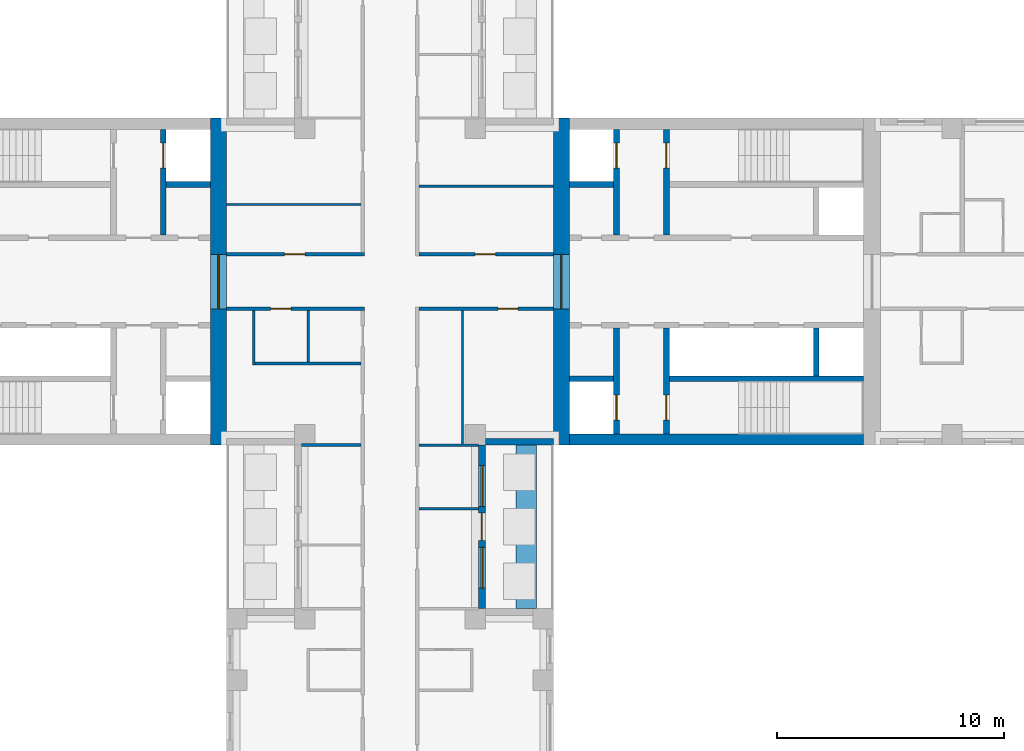
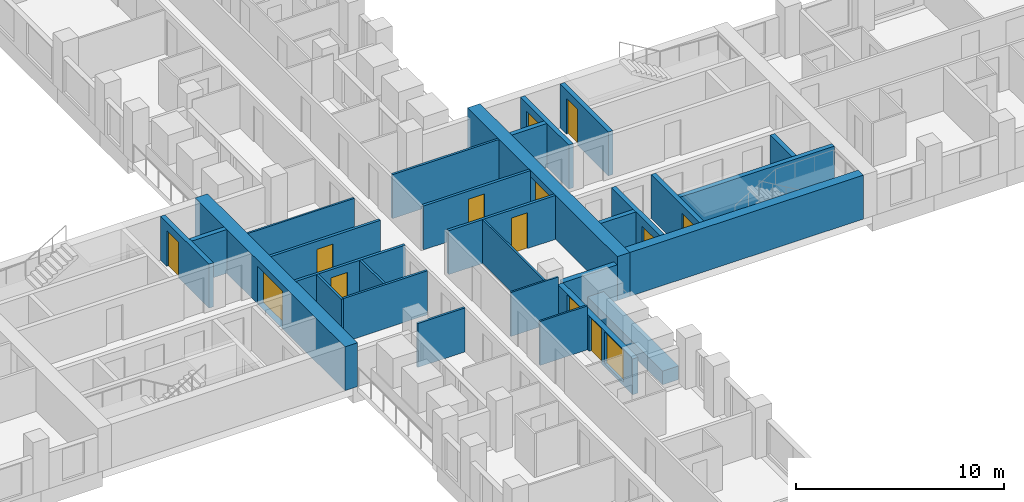
# One storey, part 7 of 15: 29 walls, 12 doors, 2 windows, 14 openings.
"""IFC4 building model written with IfcOpenShell, lengths in metres."""

from ifc_helpers import new_model, si_unit, direction, frame, frame_2d, origin, place, context, subcontext, project, spatial, rectangle, extrude, material, layer, layer_set, type_object, element, fill, save


model = new_model("IFC4")

# Units and contexts
model_context = context("Model", 3, precision=1e-05, world=origin(), true_north=direction((0.0, 1.0)))
body_context = subcontext(model_context, "Body", "Model", "MODEL_VIEW")
ifc_project = project(units=[si_unit("LENGTHUNIT", "METRE"), si_unit("AREAUNIT", "SQUARE_METRE"), si_unit("VOLUMEUNIT", "CUBIC_METRE"), si_unit("PLANEANGLEUNIT", "RADIAN"), si_unit("MASSUNIT", "GRAM", prefix="KILO")], contexts=[model_context])

# Site, building, storey
site_placement = place(None, origin())
site = spatial("IfcSite", under=ifc_project, at=site_placement, CompositionType="ELEMENT")
building_placement = place(site_placement, origin())
building = spatial("IfcBuilding", under=site, at=building_placement, Name="Fustian Cross Tower", CompositionType="ELEMENT")
storey_placement = place(building_placement, frame((0.0, 0.0, 41.699951171875)))
storey = spatial("IfcBuildingStorey", under=building, at=storey_placement, Name="L12", CompositionType="ELEMENT", Elevation=41.699951171875)

# Wall, opening, door
ifc_material_1 = material(Name="Plasterboard on steel stud", Category="steel")
ifc_layer_1 = layer(ifc_material_1, 0.14990234375)
ifc_layer_set_1 = layer_set([ifc_layer_1], Name="Plasterboard on steel stud")
wall_type_1 = type_object("IfcWallType", Name="COMPARTMENT WALL 150 EI 60", PredefinedType="PARTITIONING", material=ifc_layer_set_1)
wall_1_placement = place(storey_placement, frame((-7.199951171875, -1.199951171875, 0.0), z_axis=(0.0, 0.0, 1.0), x_axis=(1.0, 0.0, 0.0)))
wall_1 = element("IfcWall", 1, at=wall_1_placement, inside=storey, type_object=wall_type_1, Name="Partition 11", PredefinedType="PARTITIONING", context=body_context, shape_type="SweptSolid", body=[
    extrude(rectangle(XDim=6.074951171875, YDim=0.14990234375, at=frame_2d((3.03759765625, 0.0))), origin(), (0.0, 0.0, 1.0), 2.574951171875),
])
opening_1_placement = place(wall_1_placement, frame((1.949951171875, 0.0, 0.0)))
opening_1 = element("IfcOpeningElement", 2, at=opening_1_placement, cuts=wall_1, Name="Opening D07008", PredefinedType="OPENING", context=body_context, shape_type="SweptSolid", body=[
    extrude(rectangle(XDim=0.89990234375, YDim=2.10009765625, at=frame_2d((0.449951171875, 1.050048828125))), frame((0.0, 0.0849609375, 0.0), z_axis=(0.0, -1.0, 0.0), x_axis=(1.0, 0.0, 0.0)), (0.0, 0.0, 1.0), 0.169921875),
])
ifc_material_2 = material(Name="Timber fire door set", Category="wood")
door_type_1 = type_object("IfcDoorType", Name="FIRE SWING DOOR 900 FD30S", OperationType="SINGLE_SWING_LEFT", PredefinedType="DOOR", material=ifc_material_2)
door_1_placement = place(opening_1_placement, frame((0.89990234375, 0.0, 0.0), z_axis=(0.0, 0.0, 1.0), x_axis=(-1.0, 0.0, 0.0)))
door_1 = element("IfcDoor", 3, at=door_1_placement, inside=storey, type_object=door_type_1, Name="Door D07008", OperationType="SINGLE_SWING_RIGHT", OverallHeight=2.10009765625, OverallWidth=0.89990234375, PredefinedType="DOOR", context=body_context, shape_type="SweptSolid", body=[
    extrude(rectangle(XDim=0.89990234375, YDim=2.10009765625, at=frame_2d((0.449951171875, 1.050048828125))), frame((0.0, 0.02490234375, 0.0), z_axis=(0.0, -1.0, 0.0), x_axis=(1.0, 0.0, 0.0)), (0.0, 0.0, 1.0), 0.050048828125),
])
fill(opening_1, door_1)

wall_2_placement = place(storey_placement, frame((-7.199951171875, 1.199951171875, 0.0), z_axis=(0.0, 0.0, 1.0), x_axis=(1.0, 0.0, 0.0)))
wall_2 = element("IfcWall", 4, at=wall_2_placement, inside=storey, type_object=wall_type_1, Name="Partition 12", PredefinedType="PARTITIONING", context=body_context, shape_type="SweptSolid", body=[
    extrude(rectangle(XDim=6.074951171875, YDim=0.14990234375, at=frame_2d((3.03759765625, 0.0))), origin(), (0.0, 0.0, 1.0), 2.574951171875),
])
opening_2_placement = place(wall_2_placement, frame((2.550048828125, 0.0, 0.0)))
opening_2 = element("IfcOpeningElement", 5, at=opening_2_placement, cuts=wall_2, Name="Opening D07003", PredefinedType="OPENING", context=body_context, shape_type="SweptSolid", body=[
    extrude(rectangle(XDim=0.89990234375, YDim=2.10009765625, at=frame_2d((0.449951171875, 1.050048828125))), frame((0.0, 0.0849609375, 0.0), z_axis=(0.0, -1.0, 0.0), x_axis=(1.0, 0.0, 0.0)), (0.0, 0.0, 1.0), 0.169921875),
])
door_2_placement = place(opening_2_placement, origin())
door_2 = element("IfcDoor", 6, at=door_2_placement, inside=storey, type_object=door_type_1, Name="Door D07003", OperationType="SINGLE_SWING_LEFT", OverallHeight=2.10009765625, OverallWidth=0.89990234375, PredefinedType="DOOR", context=body_context, shape_type="SweptSolid", body=[
    extrude(rectangle(XDim=0.89990234375, YDim=2.10009765625, at=frame_2d((0.449951171875, 1.050048828125))), frame((0.0, 0.02490234375, 0.0), z_axis=(0.0, -1.0, 0.0), x_axis=(1.0, 0.0, 0.0)), (0.0, 0.0, 1.0), 0.050048828125),
])
fill(opening_2, door_2)

wall_3_placement = place(storey_placement, frame((1.27490234375, -1.199951171875, 0.0), z_axis=(0.0, 0.0, 1.0), x_axis=(1.0, 0.0, 0.0)))
wall_3 = element("IfcWall", 7, at=wall_3_placement, inside=storey, type_object=wall_type_1, Name="Partition 51", PredefinedType="PARTITIONING", context=body_context, shape_type="SweptSolid", body=[
    extrude(rectangle(XDim=5.925048828125, YDim=0.14990234375, at=frame_2d((2.96240234375, 0.0))), origin(), (0.0, 0.0, 1.0), 2.574951171875),
])
opening_3_placement = place(wall_3_placement, frame((3.47509765625, 0.0, 0.0)))
opening_3 = element("IfcOpeningElement", 8, at=opening_3_placement, cuts=wall_3, Name="Opening D07006", PredefinedType="OPENING", context=body_context, shape_type="SweptSolid", body=[
    extrude(rectangle(XDim=0.89990234375, YDim=2.10009765625, at=frame_2d((0.449951171875, 1.050048828125))), frame((0.0, 0.0849609375, 0.0), z_axis=(0.0, -1.0, 0.0), x_axis=(1.0, 0.0, 0.0)), (0.0, 0.0, 1.0), 0.169921875),
])
door_3_placement = place(opening_3_placement, frame((0.89990234375, 0.0, 0.0), z_axis=(0.0, 0.0, 1.0), x_axis=(-1.0, 0.0, 0.0)))
door_3 = element("IfcDoor", 9, at=door_3_placement, inside=storey, type_object=door_type_1, Name="Door D07006", OperationType="SINGLE_SWING_RIGHT", OverallHeight=2.10009765625, OverallWidth=0.89990234375, PredefinedType="DOOR", context=body_context, shape_type="SweptSolid", body=[
    extrude(rectangle(XDim=0.89990234375, YDim=2.10009765625, at=frame_2d((0.449951171875, 1.050048828125))), frame((0.0, 0.02490234375, 0.0), z_axis=(0.0, -1.0, 0.0), x_axis=(1.0, 0.0, 0.0)), (0.0, 0.0, 1.0), 0.050048828125),
])
fill(opening_3, door_3)

wall_4_placement = place(storey_placement, frame((1.27490234375, 1.199951171875, 0.0), z_axis=(0.0, 0.0, 1.0), x_axis=(1.0, 0.0, 0.0)))
wall_4 = element("IfcWall", 10, at=wall_4_placement, inside=storey, type_object=wall_type_1, Name="Partition 53", PredefinedType="PARTITIONING", context=body_context, shape_type="SweptSolid", body=[
    extrude(rectangle(XDim=5.925048828125, YDim=0.14990234375, at=frame_2d((2.96240234375, 0.0))), origin(), (0.0, 0.0, 1.0), 2.574951171875),
])
opening_4_placement = place(wall_4_placement, frame((2.47509765625, 0.0, 0.0)))
opening_4 = element("IfcOpeningElement", 11, at=opening_4_placement, cuts=wall_4, Name="Opening D07001", PredefinedType="OPENING", context=body_context, shape_type="SweptSolid", body=[
    extrude(rectangle(XDim=0.89990234375, YDim=2.10009765625, at=frame_2d((0.449951171875, 1.050048828125))), frame((0.0, 0.0849609375, 0.0), z_axis=(0.0, -1.0, 0.0), x_axis=(1.0, 0.0, 0.0)), (0.0, 0.0, 1.0), 0.169921875),
])
door_4_placement = place(opening_4_placement, origin())
door_4 = element("IfcDoor", 12, at=door_4_placement, inside=storey, type_object=door_type_1, Name="Door D07001", OperationType="SINGLE_SWING_LEFT", OverallHeight=2.10009765625, OverallWidth=0.89990234375, PredefinedType="DOOR", context=body_context, shape_type="SweptSolid", body=[
    extrude(rectangle(XDim=0.89990234375, YDim=2.10009765625, at=frame_2d((0.449951171875, 1.050048828125))), frame((0.0, 0.02490234375, 0.0), z_axis=(0.0, -1.0, 0.0), x_axis=(1.0, 0.0, 0.0)), (0.0, 0.0, 1.0), 0.050048828125),
])
fill(opening_4, door_4)

ifc_material_3 = material(Name="Concrete C80/95", Category="concrete")
ifc_layer_2 = layer(ifc_material_3, 0.699951171875)
ifc_layer_set_2 = layer_set([ifc_layer_2], Name="Concrete C80/95")
wall_type_2 = type_object("IfcWallType", Name="CORE END WALL 700 C80/95", PredefinedType="SHEAR", material=ifc_layer_set_2)
wall_5_placement = place(storey_placement, frame((7.550048828125, -7.199951171875, 0.0), z_axis=(0.0, 0.0, 1.0), x_axis=(0.0, 1.0, 0.0)))
wall_5 = element("IfcWall", 13, at=wall_5_placement, inside=storey, type_object=wall_type_2, Name="Core end wall", PredefinedType="SHEAR", context=body_context, shape_type="SweptSolid", body=[
    extrude(rectangle(XDim=14.39990234375, YDim=0.699951171875, at=frame_2d((7.199951171875, 0.0))), origin(), (0.0, 0.0, 1.0), 2.574951171875),
])
opening_5_placement = place(wall_5_placement, frame((6.0, 0.0, 0.0)))
opening_5 = element("IfcOpeningElement", 14, at=opening_5_placement, cuts=wall_5, Name="Opening CD-04-12", PredefinedType="OPENING", context=body_context, shape_type="SweptSolid", body=[
    extrude(rectangle(XDim=2.39990234375, YDim=2.199951171875, at=frame_2d((1.199951171875, 1.10009765625))), frame((0.0, 0.35986328125, 0.0), z_axis=(0.0, -1.0, 0.0), x_axis=(1.0, 0.0, 0.0)), (0.0, 0.0, 1.0), 0.719970703125),
])
ifc_material_4 = material(Name="Steel", Category="steel")
door_type_2 = type_object("IfcDoorType", Name="FIRE DOOR FD30S DOUBLE 2400X2200", OperationType="DOUBLE_DOOR_DOUBLE_SWING", PredefinedType="DOOR", material=ifc_material_4)
door_5_placement = place(opening_5_placement, frame((2.39990234375, 0.0, 0.0), z_axis=(0.0, 0.0, 1.0), x_axis=(-1.0, 0.0, 0.0)))
door_5 = element("IfcDoor", 15, at=door_5_placement, inside=storey, type_object=door_type_2, Name="Core door CD-04-12", OperationType="DOUBLE_DOOR_DOUBLE_SWING", OverallHeight=2.199951171875, OverallWidth=2.39990234375, PredefinedType="DOOR", context=body_context, shape_type="SweptSolid", body=[
    extrude(rectangle(XDim=2.39990234375, YDim=2.199951171875, at=frame_2d((1.199951171875, 1.10009765625))), frame((0.0, 0.02490234375, 0.0), z_axis=(0.0, -1.0, 0.0), x_axis=(1.0, 0.0, 0.0)), (0.0, 0.0, 1.0), 0.050048828125),
])
fill(opening_5, door_5)

wall_6_placement = place(storey_placement, frame((-7.550048828125, -7.199951171875, 0.0), z_axis=(0.0, 0.0, 1.0), x_axis=(0.0, 1.0, 0.0)))
wall_6 = element("IfcWall", 16, at=wall_6_placement, inside=storey, type_object=wall_type_2, Name="Core end wall", PredefinedType="SHEAR", context=body_context, shape_type="SweptSolid", body=[
    extrude(rectangle(XDim=14.39990234375, YDim=0.699951171875, at=frame_2d((7.199951171875, 0.0))), origin(), (0.0, 0.0, 1.0), 2.574951171875),
])
opening_6_placement = place(wall_6_placement, frame((6.0, 0.0, 0.0)))
opening_6 = element("IfcOpeningElement", 17, at=opening_6_placement, cuts=wall_6, Name="Opening CD-04-26", PredefinedType="OPENING", context=body_context, shape_type="SweptSolid", body=[
    extrude(rectangle(XDim=2.39990234375, YDim=2.199951171875, at=frame_2d((1.199951171875, 1.10009765625))), frame((0.0, 0.35986328125, 0.0), z_axis=(0.0, -1.0, 0.0), x_axis=(1.0, 0.0, 0.0)), (0.0, 0.0, 1.0), 0.719970703125),
])
door_6_placement = place(opening_6_placement, origin())
door_6 = element("IfcDoor", 18, at=door_6_placement, inside=storey, type_object=door_type_2, Name="Core door CD-04-26", OperationType="DOUBLE_DOOR_DOUBLE_SWING", OverallHeight=2.199951171875, OverallWidth=2.39990234375, PredefinedType="DOOR", context=body_context, shape_type="SweptSolid", body=[
    extrude(rectangle(XDim=2.39990234375, YDim=2.199951171875, at=frame_2d((1.199951171875, 1.10009765625))), frame((0.0, 0.02490234375, 0.0), z_axis=(0.0, -1.0, 0.0), x_axis=(1.0, 0.0, 0.0)), (0.0, 0.0, 1.0), 0.050048828125),
])
fill(opening_6, door_6)

# Walls
ifc_material_5 = material(Name="Concrete C80/95", Category="concrete")
ifc_layer_3 = layer(ifc_material_5, 0.5)
ifc_layer_set_3 = layer_set([ifc_layer_3], Name="Concrete C80/95")
wall_type_3 = type_object("IfcWallType", Name="CORE FACADE WALL 500 C80/95", PredefinedType="SHEAR", material=ifc_layer_set_3)
wall_7_placement = place(storey_placement, frame((7.89990234375, -6.949951171875, 0.0), z_axis=(0.0, 0.0, 1.0), x_axis=(1.0, 0.0, 0.0)))
element("IfcWall", 19, at=wall_7_placement, inside=storey, type_object=wall_type_3, Name="Core facade wall", PredefinedType="SHEAR", context=body_context, shape_type="SweptSolid", body=[
    extrude(rectangle(XDim=12.9501953125, YDim=0.5, at=frame_2d((6.47509765625, 0.0))), origin(), (0.0, 0.0, 1.0), 2.574951171875),
])
ifc_material_6 = material(Name="Concrete C50/60", Category="concrete")
ifc_layer_4 = layer(ifc_material_6, 0.25)
ifc_layer_set_4 = layer_set([ifc_layer_4], Name="Concrete C50/60")
wall_type_4 = type_object("IfcWallType", Name="CORE SHAFT WALL 250 C50/60", PredefinedType="SHEAR", material=ifc_layer_set_4)
wall_8_placement = place(storey_placement, frame((7.89990234375, 4.27490234375, 0.0), z_axis=(0.0, 0.0, 1.0), x_axis=(1.0, 0.0, 0.0)))
element("IfcWall", 20, at=wall_8_placement, inside=storey, type_object=wall_type_4, Name="Core shaft wall", PredefinedType="SHEAR", context=body_context, shape_type="SweptSolid", body=[
    extrude(rectangle(XDim=1.9501953125, YDim=0.25, at=frame_2d((0.97509765625, 0.0))), origin(), (0.0, 0.0, 1.0), 2.574951171875),
])

# Wall, opening, door
wall_9_placement = place(storey_placement, frame((9.97509765625, 2.050048828125, 0.0), z_axis=(0.0, 0.0, 1.0), x_axis=(0.0, 1.0, 0.0)))
wall_9 = element("IfcWall", 21, at=wall_9_placement, inside=storey, type_object=wall_type_4, Name="Core shaft wall", PredefinedType="SHEAR", context=body_context, shape_type="SweptSolid", body=[
    extrude(rectangle(XDim=4.64990234375, YDim=0.25, at=frame_2d((2.324951171875, 0.0))), origin(), (0.0, 0.0, 1.0), 2.574951171875),
])
opening_7_placement = place(wall_9_placement, frame((2.949951171875, 0.0, 0.0)))
opening_7 = element("IfcOpeningElement", 22, at=opening_7_placement, cuts=wall_9, Name="Opening LD", PredefinedType="OPENING", context=body_context, shape_type="SweptSolid", body=[
    extrude(rectangle(XDim=1.10009765625, YDim=2.10009765625, at=frame_2d((0.550048828125, 1.050048828125))), frame((0.0, 0.135009765625, 0.0), z_axis=(0.0, -1.0, 0.0), x_axis=(1.0, 0.0, 0.0)), (0.0, 0.0, 1.0), 0.27001953125),
])
ifc_material_7 = material(Name="Stainless steel", Category="steel")
door_type_3 = type_object("IfcDoorType", Name="LIFT LANDING DOOR 1100X2100", OperationType="SLIDING_TO_LEFT", PredefinedType="DOOR", material=ifc_material_7)
door_7_placement = place(opening_7_placement, origin())
door_7 = element("IfcDoor", 23, at=door_7_placement, inside=storey, type_object=door_type_3, Name="Landing door FL1", OperationType="SLIDING_TO_LEFT", OverallHeight=2.10009765625, OverallWidth=1.10009765625, PredefinedType="DOOR", context=body_context, shape_type="SweptSolid", body=[
    extrude(rectangle(XDim=1.10009765625, YDim=2.10009765625, at=frame_2d((0.550048828125, 1.050048828125))), frame((0.0, 0.02490234375, 0.0), z_axis=(0.0, -1.0, 0.0), x_axis=(1.0, 0.0, 0.0)), (0.0, 0.0, 1.0), 0.050048828125),
])
fill(opening_7, door_7)

wall_10_placement = place(storey_placement, frame((12.175048828125, 2.050048828125, 0.0), z_axis=(0.0, 0.0, 1.0), x_axis=(0.0, 1.0, 0.0)))
wall_10 = element("IfcWall", 24, at=wall_10_placement, inside=storey, type_object=wall_type_4, Name="Core shaft wall", PredefinedType="SHEAR", context=body_context, shape_type="SweptSolid", body=[
    extrude(rectangle(XDim=4.64990234375, YDim=0.25, at=frame_2d((2.324951171875, 0.0))), origin(), (0.0, 0.0, 1.0), 2.574951171875),
])
opening_8_placement = place(wall_10_placement, frame((2.949951171875, 0.0, 0.0)))
opening_8 = element("IfcOpeningElement", 25, at=opening_8_placement, cuts=wall_10, Name="Opening CD-04-06", PredefinedType="OPENING", context=body_context, shape_type="SweptSolid", body=[
    extrude(rectangle(XDim=1.10009765625, YDim=2.10009765625, at=frame_2d((0.550048828125, 1.050048828125))), frame((0.0, 0.135009765625, 0.0), z_axis=(0.0, -1.0, 0.0), x_axis=(1.0, 0.0, 0.0)), (0.0, 0.0, 1.0), 0.27001953125),
])
ifc_material_8 = material(Name="Steel", Category="steel")
door_type_4 = type_object("IfcDoorType", Name="FIRE DOOR FD60S 1100X2100", OperationType="SINGLE_SWING_LEFT", PredefinedType="DOOR", material=ifc_material_8)
door_8_placement = place(opening_8_placement, frame((1.10009765625, 0.0, 0.0), z_axis=(0.0, 0.0, 1.0), x_axis=(-1.0, 0.0, 0.0)))
door_8 = element("IfcDoor", 26, at=door_8_placement, inside=storey, type_object=door_type_4, Name="Core door CD-04-06", OperationType="SINGLE_SWING_RIGHT", OverallHeight=2.10009765625, OverallWidth=1.10009765625, PredefinedType="DOOR", context=body_context, shape_type="SweptSolid", body=[
    extrude(rectangle(XDim=1.10009765625, YDim=2.10009765625, at=frame_2d((0.550048828125, 1.050048828125))), frame((0.0, 0.02490234375, 0.0), z_axis=(0.0, -1.0, 0.0), x_axis=(1.0, 0.0, 0.0)), (0.0, 0.0, 1.0), 0.050048828125),
])
fill(opening_8, door_8)

# Walls
wall_11_placement = place(storey_placement, frame((7.89990234375, -4.27490234375, 0.0), z_axis=(0.0, 0.0, 1.0), x_axis=(1.0, 0.0, 0.0)))
element("IfcWall", 27, at=wall_11_placement, inside=storey, type_object=wall_type_4, Name="Core shaft wall", PredefinedType="SHEAR", context=body_context, shape_type="SweptSolid", body=[
    extrude(rectangle(XDim=1.9501953125, YDim=0.25, at=frame_2d((0.97509765625, 0.0))), origin(), (0.0, 0.0, 1.0), 2.574951171875),
])
wall_12_placement = place(storey_placement, frame((12.300048828125, -4.27490234375, 0.0), z_axis=(0.0, 0.0, 1.0), x_axis=(1.0, 0.0, 0.0)))
element("IfcWall", 28, at=wall_12_placement, inside=storey, type_object=wall_type_4, Name="Core shaft wall", PredefinedType="SHEAR", context=body_context, shape_type="SweptSolid", body=[
    extrude(rectangle(XDim=8.550048828125, YDim=0.25, at=frame_2d((4.27490234375, 0.0))), origin(), (0.0, 0.0, 1.0), 2.574951171875),
])

# Wall, opening, door
wall_13_placement = place(storey_placement, frame((9.97509765625, -2.050048828125, 0.0), z_axis=(0.0, 0.0, 1.0), x_axis=(0.0, -1.0, 0.0)))
wall_13 = element("IfcWall", 29, at=wall_13_placement, inside=storey, type_object=wall_type_4, Name="Core shaft wall", PredefinedType="SHEAR", context=body_context, shape_type="SweptSolid", body=[
    extrude(rectangle(XDim=4.64990234375, YDim=0.25, at=frame_2d((2.324951171875, 0.0))), origin(), (0.0, 0.0, 1.0), 2.574951171875),
])
opening_9_placement = place(wall_13_placement, frame((2.949951171875, 0.0, 0.0)))
opening_9 = element("IfcOpeningElement", 30, at=opening_9_placement, cuts=wall_13, Name="Opening LD", PredefinedType="OPENING", context=body_context, shape_type="SweptSolid", body=[
    extrude(rectangle(XDim=1.10009765625, YDim=2.10009765625, at=frame_2d((0.550048828125, 1.050048828125))), frame((0.0, 0.135009765625, 0.0), z_axis=(0.0, -1.0, 0.0), x_axis=(1.0, 0.0, 0.0)), (0.0, 0.0, 1.0), 0.27001953125),
])
door_9_placement = place(opening_9_placement, origin())
door_9 = element("IfcDoor", 31, at=door_9_placement, inside=storey, type_object=door_type_3, Name="Landing door SV1", OperationType="SLIDING_TO_LEFT", OverallHeight=2.10009765625, OverallWidth=1.10009765625, PredefinedType="DOOR", context=body_context, shape_type="SweptSolid", body=[
    extrude(rectangle(XDim=1.10009765625, YDim=2.10009765625, at=frame_2d((0.550048828125, 1.050048828125))), frame((0.0, 0.02490234375, 0.0), z_axis=(0.0, -1.0, 0.0), x_axis=(1.0, 0.0, 0.0)), (0.0, 0.0, 1.0), 0.050048828125),
])
fill(opening_9, door_9)

wall_14_placement = place(storey_placement, frame((12.175048828125, -2.050048828125, 0.0), z_axis=(0.0, 0.0, 1.0), x_axis=(0.0, -1.0, 0.0)))
wall_14 = element("IfcWall", 32, at=wall_14_placement, inside=storey, type_object=wall_type_4, Name="Core shaft wall", PredefinedType="SHEAR", context=body_context, shape_type="SweptSolid", body=[
    extrude(rectangle(XDim=4.64990234375, YDim=0.25, at=frame_2d((2.324951171875, 0.0))), origin(), (0.0, 0.0, 1.0), 2.574951171875),
])
opening_10_placement = place(wall_14_placement, frame((2.949951171875, 0.0, 0.0)))
opening_10 = element("IfcOpeningElement", 33, at=opening_10_placement, cuts=wall_14, Name="Opening CD-04-07", PredefinedType="OPENING", context=body_context, shape_type="SweptSolid", body=[
    extrude(rectangle(XDim=1.10009765625, YDim=2.10009765625, at=frame_2d((0.550048828125, 1.050048828125))), frame((0.0, 0.135009765625, 0.0), z_axis=(0.0, -1.0, 0.0), x_axis=(1.0, 0.0, 0.0)), (0.0, 0.0, 1.0), 0.27001953125),
])
door_10_placement = place(opening_10_placement, origin())
door_10 = element("IfcDoor", 34, at=door_10_placement, inside=storey, type_object=door_type_4, Name="Core door CD-04-07", OperationType="SINGLE_SWING_LEFT", OverallHeight=2.10009765625, OverallWidth=1.10009765625, PredefinedType="DOOR", context=body_context, shape_type="SweptSolid", body=[
    extrude(rectangle(XDim=1.10009765625, YDim=2.10009765625, at=frame_2d((0.550048828125, 1.050048828125))), frame((0.0, 0.02490234375, 0.0), z_axis=(0.0, -1.0, 0.0), x_axis=(1.0, 0.0, 0.0)), (0.0, 0.0, 1.0), 0.050048828125),
])
fill(opening_10, door_10)

# Wall
wall_15_placement = place(storey_placement, frame((-7.89990234375, 4.27490234375, 0.0), z_axis=(0.0, 0.0, 1.0), x_axis=(-1.0, 0.0, 0.0)))
element("IfcWall", 35, at=wall_15_placement, inside=storey, type_object=wall_type_4, Name="Core shaft wall", PredefinedType="SHEAR", context=body_context, shape_type="SweptSolid", body=[
    extrude(rectangle(XDim=1.9501953125, YDim=0.25, at=frame_2d((0.97509765625, 0.0))), origin(), (0.0, 0.0, 1.0), 2.574951171875),
])

# Wall, opening, door
wall_16_placement = place(storey_placement, frame((-9.97509765625, 2.050048828125, 0.0), z_axis=(0.0, 0.0, 1.0), x_axis=(0.0, 1.0, 0.0)))
wall_16 = element("IfcWall", 36, at=wall_16_placement, inside=storey, type_object=wall_type_4, Name="Core shaft wall", PredefinedType="SHEAR", context=body_context, shape_type="SweptSolid", body=[
    extrude(rectangle(XDim=4.64990234375, YDim=0.25, at=frame_2d((2.324951171875, 0.0))), origin(), (0.0, 0.0, 1.0), 2.574951171875),
])
opening_11_placement = place(wall_16_placement, frame((2.949951171875, 0.0, 0.0)))
opening_11 = element("IfcOpeningElement", 37, at=opening_11_placement, cuts=wall_16, Name="Opening LD", PredefinedType="OPENING", context=body_context, shape_type="SweptSolid", body=[
    extrude(rectangle(XDim=1.10009765625, YDim=2.10009765625, at=frame_2d((0.550048828125, 1.050048828125))), frame((0.0, 0.135009765625, 0.0), z_axis=(0.0, -1.0, 0.0), x_axis=(1.0, 0.0, 0.0)), (0.0, 0.0, 1.0), 0.27001953125),
])
door_11_placement = place(opening_11_placement, origin())
door_11 = element("IfcDoor", 38, at=door_11_placement, inside=storey, type_object=door_type_3, Name="Landing door FL1W", OperationType="SLIDING_TO_LEFT", OverallHeight=2.10009765625, OverallWidth=1.10009765625, PredefinedType="DOOR", context=body_context, shape_type="SweptSolid", body=[
    extrude(rectangle(XDim=1.10009765625, YDim=2.10009765625, at=frame_2d((0.550048828125, 1.050048828125))), frame((0.0, 0.02490234375, 0.0), z_axis=(0.0, -1.0, 0.0), x_axis=(1.0, 0.0, 0.0)), (0.0, 0.0, 1.0), 0.050048828125),
])
fill(opening_11, door_11)

# Walls
ifc_material_9 = material(Name="Plasterboard on steel stud", Category="steel")
ifc_layer_5 = layer(ifc_material_9, 0.10009765625)
ifc_layer_set_5 = layer_set([ifc_layer_5], Name="Plasterboard on steel stud")
wall_type_5 = type_object("IfcWallType", Name="PARTITION 100 STUD", PredefinedType="PARTITIONING", material=ifc_layer_set_5)
wall_17_placement = place(storey_placement, frame((-7.199951171875, 3.39990234375, 0.0), z_axis=(0.0, 0.0, 1.0), x_axis=(1.0, 0.0, 0.0)))
element("IfcWall", 39, at=wall_17_placement, inside=storey, type_object=wall_type_5, Name="Partition 13", PredefinedType="PARTITIONING", context=body_context, shape_type="SweptSolid", body=[
    extrude(rectangle(XDim=5.925048828125, YDim=0.10009765625, at=frame_2d((2.96240234375, 0.0))), origin(), (0.0, 0.0, 1.0), 2.574951171875),
])
for number, where, z_axis, x_axis, name in (
    (40, (1.27490234375, -10.0, 0.0), (0.0, 0.0, 1.0), (1.0, 0.0, 0.0), "Partition 49"),
    (41, (1.27490234375, -7.199951171875, 0.0), (0.0, 0.0, 1.0), (1.0, 0.0, 0.0), "Partition 50"),
):
    element("IfcWall", number, at=place(storey_placement, frame(where, z_axis=z_axis, x_axis=x_axis)), inside=storey, type_object=wall_type_5, Name=name, PredefinedType="PARTITIONING", context=body_context, shape_type="SweptSolid", body=[
        extrude(rectangle(XDim=2.625, YDim=0.10009765625, at=frame_2d((1.3125, 0.0))), origin(), (0.0, 0.0, 1.0), 2.574951171875),
    ])
wall_18_placement = place(storey_placement, frame((3.199951171875, -7.14990234375, 0.0), z_axis=(0.0, 0.0, 1.0), x_axis=(0.0, 1.0, 0.0)))
element("IfcWall", 42, at=wall_18_placement, inside=storey, type_object=wall_type_5, Name="Partition 70", PredefinedType="PARTITIONING", context=body_context, shape_type="SweptSolid", body=[
    extrude(rectangle(XDim=5.875, YDim=0.10009765625, at=frame_2d((2.9375, 0.0))), origin(), (0.0, 0.0, 1.0), 2.574951171875),
])
ifc_material_10 = material(Name="Concrete C40/50", Category="concrete")
ifc_layer_6 = layer(ifc_material_10, 0.89990234375)
ifc_layer_set_6 = layer_set([ifc_layer_6], Name="Concrete C40/50")
wall_type_6 = type_object("IfcWallType", Name="PK1 PLANTER 900", PredefinedType="PARAPET", material=ifc_layer_set_6)
wall_19_placement = place(storey_placement, frame((6.0, -14.39990234375, 0.0), z_axis=(0.0, 0.0, 1.0), x_axis=(0.0, 1.0, 0.0)))
element("IfcWall", 43, at=wall_19_placement, inside=storey, type_object=wall_type_6, Name="PLANTER", PredefinedType="PARAPET", context=body_context, shape_type="SweptSolid", body=[
    extrude(rectangle(XDim=7.199951171875, YDim=0.89990234375, at=frame_2d((3.60009765625, 0.0))), origin(), (0.0, 0.0, 1.0), 0.800048828125),
])
ifc_material_11 = material(Name="Concrete C40/50", Category="concrete")
ifc_layer_7 = layer(ifc_material_11, 0.25)
ifc_layer_set_7 = layer_set([ifc_layer_7], Name="Concrete C40/50")
wall_type_7 = type_object("IfcWallType", Name="SHAFT PARTITION WALL 250 C40/50", PredefinedType="PARTITIONING", material=ifc_layer_set_7)
wall_20_placement = place(storey_placement, frame((18.77490234375, -2.050048828125, 0.0), z_axis=(0.0, 0.0, 1.0), x_axis=(0.0, -1.0, 0.0)))
element("IfcWall", 44, at=wall_20_placement, inside=storey, type_object=wall_type_7, Name="Core shaft wall", PredefinedType="PARTITIONING", context=body_context, shape_type="SweptSolid", body=[
    extrude(rectangle(XDim=2.099853515625, YDim=0.25, at=frame_2d((1.0498046875, 0.0))), origin(), (0.0, 0.0, 1.0), 2.574951171875),
])
ifc_material_12 = material(Name="Plasterboard on steel stud", Category="steel")
ifc_layer_8 = layer(ifc_material_12, 0.125)
ifc_layer_set_8 = layer_set([ifc_layer_8], Name="Plasterboard on steel stud")
wall_type_8 = type_object("IfcWallType", Name="WET WALL 125 STUD", PredefinedType="PARTITIONING", material=ifc_layer_set_8)
wall_21_placement = place(storey_placement, frame((-6.0, -3.66259765625, 0.0), z_axis=(0.0, 0.0, 1.0), x_axis=(0.0, 1.0, 0.0)))
element("IfcWall", 45, at=wall_21_placement, inside=storey, type_object=wall_type_8, Name="Partition 22", PredefinedType="PARTITIONING", context=body_context, shape_type="SweptSolid", body=[
    extrude(rectangle(XDim=2.3876953125, YDim=0.125, at=frame_2d((1.19384765625, 0.0))), origin(), (0.0, 0.0, 1.0), 2.574951171875),
])
wall_22_placement = place(storey_placement, frame((-5.9375, -3.60009765625, 0.0), z_axis=(0.0, 0.0, 1.0), x_axis=(1.0, 0.0, 0.0)))
element("IfcWall", 46, at=wall_22_placement, inside=storey, type_object=wall_type_8, Name="Partition 23", PredefinedType="PARTITIONING", context=body_context, shape_type="SweptSolid", body=[
    extrude(rectangle(XDim=4.66259765625, YDim=0.125, at=frame_2d((2.331298828125, 0.0))), origin(), (0.0, 0.0, 1.0), 2.574951171875),
])
wall_23_placement = place(storey_placement, frame((-3.89990234375, -7.199951171875, 0.0), z_axis=(0.0, 0.0, 1.0), x_axis=(1.0, 0.0, 0.0)))
element("IfcWall", 47, at=wall_23_placement, inside=storey, type_object=wall_type_8, Name="Partition 26", PredefinedType="PARTITIONING", context=body_context, shape_type="SweptSolid", body=[
    extrude(rectangle(XDim=2.625, YDim=0.125, at=frame_2d((1.3125, 0.0))), origin(), (0.0, 0.0, 1.0), 2.574951171875),
])
wall_24_placement = place(storey_placement, frame((-3.60009765625, -3.53759765625, 0.0), z_axis=(0.0, 0.0, 1.0), x_axis=(0.0, 1.0, 0.0)))
element("IfcWall", 48, at=wall_24_placement, inside=storey, type_object=wall_type_8, Name="Partition 32", PredefinedType="PARTITIONING", context=body_context, shape_type="SweptSolid", body=[
    extrude(rectangle(XDim=2.2626953125, YDim=0.125, at=frame_2d((1.13134765625, 0.0))), origin(), (0.0, 0.0, 1.0), 2.574951171875),
])
wall_25_placement = place(storey_placement, frame((1.27490234375, 4.199951171875, 0.0), z_axis=(0.0, 0.0, 1.0), x_axis=(1.0, 0.0, 0.0)))
element("IfcWall", 49, at=wall_25_placement, inside=storey, type_object=wall_type_8, Name="Partition 54", PredefinedType="PARTITIONING", context=body_context, shape_type="SweptSolid", body=[
    extrude(rectangle(XDim=5.925048828125, YDim=0.125, at=frame_2d((2.96240234375, 0.0))), origin(), (0.0, 0.0, 1.0), 2.574951171875),
])

# Wall, openings, door, windows
ifc_material_13 = material(Name="Dark aluminium cladding on insulated backing wall", Category="aluminium")
ifc_layer_9 = layer(ifc_material_13, 0.300048828125)
ifc_layer_set_9 = layer_set([ifc_layer_9], Name="Dark aluminium cladding on insulated backing wall")
wall_type_9 = type_object("IfcWallType", Name="XW1 EXTERNAL WALL 300", PredefinedType="SOLIDWALL", material=ifc_layer_set_9)
wall_26_placement = place(storey_placement, frame((4.050048828125, -14.39990234375, 0.0), z_axis=(0.0, 0.0, 1.0), x_axis=(0.0, 1.0, 0.0)))
wall_26 = element("IfcWall", 50, at=wall_26_placement, inside=storey, type_object=wall_type_9, Name="External wall", PredefinedType="SOLIDWALL", context=body_context, shape_type="SweptSolid", body=[
    extrude(rectangle(XDim=7.199951171875, YDim=0.300048828125, at=frame_2d((3.60009765625, 0.0))), origin(), (0.0, 0.0, 1.0), 2.10009765625),
])
opening_12_placement = place(wall_26_placement, frame((3.0, 0.0, 0.0)))
opening_12 = element("IfcOpeningElement", 51, at=opening_12_placement, cuts=wall_26, Name="Opening XD3", PredefinedType="OPENING", context=body_context, shape_type="SweptSolid", body=[
    extrude(rectangle(XDim=1.199951171875, YDim=2.050048828125, at=frame_2d((0.60009765625, 1.02490234375))), frame((0.0, 0.159912109375, 0.0), z_axis=(0.0, -1.0, 0.0), x_axis=(1.0, 0.0, 0.0)), (0.0, 0.0, 1.0), 0.320068359375),
])
opening_13_placement = place(wall_26_placement, frame((0.89990234375, 0.0, 0.199951171875)))
opening_13 = element("IfcOpeningElement", 52, at=opening_13_placement, cuts=wall_26, Name="Opening WN2", PredefinedType="OPENING", context=body_context, shape_type="SweptSolid", body=[
    extrude(rectangle(XDim=1.800048828125, YDim=1.85009765625, at=frame_2d((0.89990234375, 0.925048828125))), frame((0.0, 0.159912109375, 0.0), z_axis=(0.0, -1.0, 0.0), x_axis=(1.0, 0.0, 0.0)), (0.0, 0.0, 1.0), 0.320068359375),
])
opening_14_placement = place(wall_26_placement, frame((4.5, 0.0, 0.199951171875)))
opening_14 = element("IfcOpeningElement", 53, at=opening_14_placement, cuts=wall_26, Name="Opening WN2", PredefinedType="OPENING", context=body_context, shape_type="SweptSolid", body=[
    extrude(rectangle(XDim=1.800048828125, YDim=1.85009765625, at=frame_2d((0.89990234375, 0.925048828125))), frame((0.0, 0.159912109375, 0.0), z_axis=(0.0, -1.0, 0.0), x_axis=(1.0, 0.0, 0.0)), (0.0, 0.0, 1.0), 0.320068359375),
])
ifc_material_14 = material(Name="Dark anodised aluminium and double glazing", Category="aluminium")
door_type_5 = type_object("IfcDoorType", Name="ED1 BALCONY DOOR 1200X2050", OperationType="SINGLE_SWING_LEFT", PredefinedType="DOOR", material=ifc_material_14)
door_12_placement = place(opening_12_placement, origin())
door_12 = element("IfcDoor", 54, at=door_12_placement, inside=storey, type_object=door_type_5, Name="Balcony door", OperationType="SINGLE_SWING_LEFT", OverallHeight=2.050048828125, OverallWidth=1.199951171875, PredefinedType="DOOR", context=body_context, shape_type="SweptSolid", body=[
    extrude(rectangle(XDim=1.199951171875, YDim=2.050048828125, at=frame_2d((0.60009765625, 1.02490234375))), frame((0.0, 0.02490234375, 0.0), z_axis=(0.0, -1.0, 0.0), x_axis=(1.0, 0.0, 0.0)), (0.0, 0.0, 1.0), 0.050048828125),
])
fill(opening_12, door_12)
ifc_material_15 = material(Name="Dark anodised aluminium and double glazing", Category="aluminium")
window_type = type_object("IfcWindowType", Name="WN2 WINDOW 1800X1850", PartitioningType="SINGLE_PANEL", PredefinedType="WINDOW", material=ifc_material_15)
window_1_placement = place(opening_13_placement, origin())
window_1 = element("IfcWindow", 55, at=window_1_placement, inside=storey, type_object=window_type, Name="Window", OverallHeight=1.85009765625, OverallWidth=1.800048828125, PartitioningType="SINGLE_PANEL", PredefinedType="WINDOW", context=body_context, shape_type="SweptSolid", body=[
    extrude(rectangle(XDim=1.800048828125, YDim=1.85009765625, at=frame_2d((0.89990234375, 0.925048828125))), frame((0.0, 0.030029296875, 0.0), z_axis=(0.0, -1.0, 0.0), x_axis=(1.0, 0.0, 0.0)), (0.0, 0.0, 1.0), 0.06005859375),
])
fill(opening_13, window_1)
window_2_placement = place(opening_14_placement, origin())
window_2 = element("IfcWindow", 56, at=window_2_placement, inside=storey, type_object=window_type, Name="Window", OverallHeight=1.85009765625, OverallWidth=1.800048828125, PartitioningType="SINGLE_PANEL", PredefinedType="WINDOW", context=body_context, shape_type="SweptSolid", body=[
    extrude(rectangle(XDim=1.800048828125, YDim=1.85009765625, at=frame_2d((0.89990234375, 0.925048828125))), frame((0.0, 0.030029296875, 0.0), z_axis=(0.0, -1.0, 0.0), x_axis=(1.0, 0.0, 0.0)), (0.0, 0.0, 1.0), 0.06005859375),
])
fill(opening_14, window_2)

# Wall
wall_27_placement = place(storey_placement, frame((4.199951171875, -7.050048828125, 0.0), z_axis=(0.0, 0.0, 1.0), x_axis=(1.0, 0.0, 0.0)))
element("IfcWall", 57, at=wall_27_placement, inside=storey, type_object=wall_type_9, Name="External wall", PredefinedType="SOLIDWALL", context=body_context, shape_type="SweptSolid", body=[
    extrude(rectangle(XDim=3.0, YDim=0.300048828125, at=frame_2d((1.5, 0.0))), origin(), (0.0, 0.0, 1.0), 2.10009765625),
])

save(model, "model.ifc")
